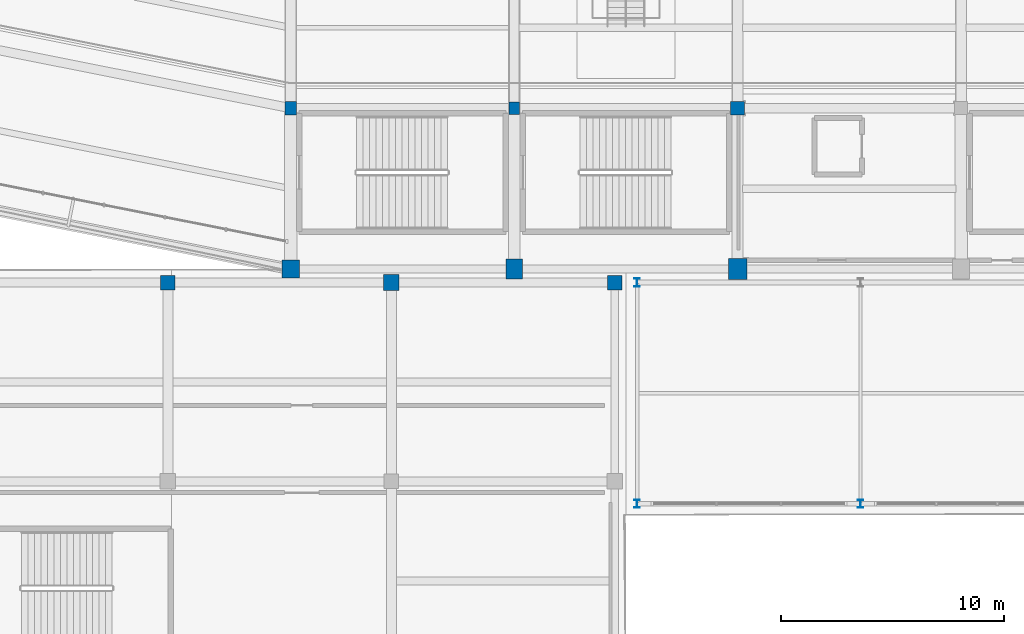
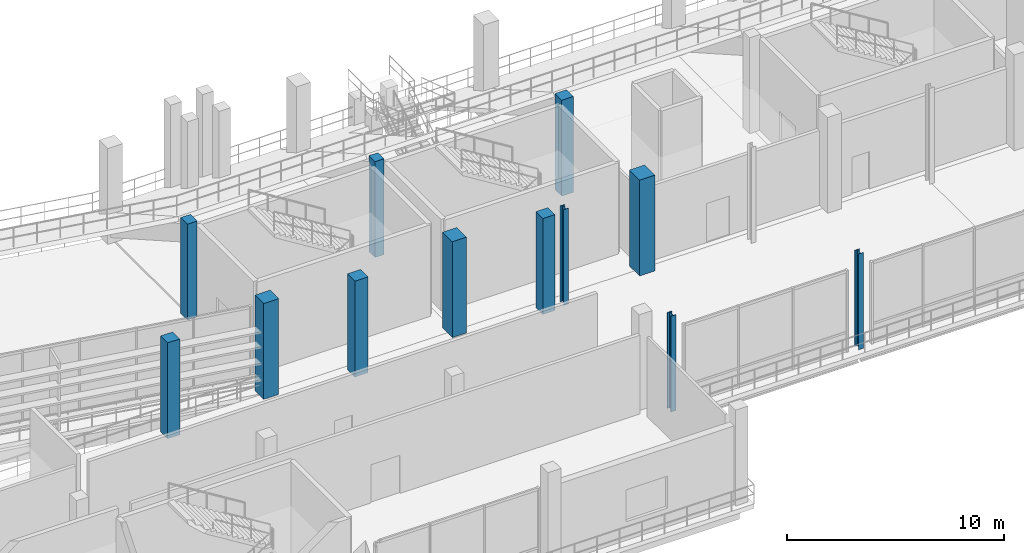
# One storey, part 2 of 127: 12 columns.
"""IFC4 building model written with IfcOpenShell, lengths in metres."""

import ifcopenshell
import ifcopenshell.guid

model = None  # the IFC model being written
_history = None  # IfcOwnerHistory: only IFC2X3 demands one
_inside = {}  # id of a spatial element -> (the spatial element, [elements in it])
_under = {}  # id of a project, library or spatial element -> (it, [spatial elements below it])
_declared = {}  # id of a project -> (the project, [libraries it declares])
_typed = {}  # id of a type object -> (the type object, [elements of that type])
_made_of = {}  # id of a material, layer set ... -> (it, [elements and type objects made of it])


def new_model(schema):
    """Start an empty IFC model of exactly this schema.

    Asked for "IFC4X3", IfcOpenShell would pick the latest addendum, in which some entities
    have other attributes; the version numbers below select the first issue.
    IFC2X3 requires an IfcOwnerHistory on every rooted entity: one is made here for all.
    """
    global model, _history
    if schema == "IFC4X3":
        model = ifcopenshell.file(schema_version=(4, 3, 0, 0))
    else:
        model = ifcopenshell.file(schema=schema)
    _inside.clear()
    _under.clear()
    _declared.clear()
    _typed.clear()
    _made_of.clear()
    _history = None
    if model.schema == "IFC2X3":
        org = make("IfcOrganization", Name="unknown")
        user = make(
            "IfcPersonAndOrganization",
            ThePerson=make("IfcPerson", FamilyName="unknown"),
            TheOrganization=org,
        )
        app = make(
            "IfcApplication",
            ApplicationDeveloper=org,
            Version="unknown",
            ApplicationFullName="unknown",
            ApplicationIdentifier="unknown",
        )
        _history = make(
            "IfcOwnerHistory",
            OwningUser=user,
            OwningApplication=app,
            ChangeAction="ADDED",
            CreationDate=0,
        )
    return model


def make(cls, **values):
    """One entity of the class cls with the attributes given. An attribute that is None is left unset."""
    return model.create_entity(
        cls, **{name: value for name, value in values.items() if value is not None}
    )


def rooted(cls, **values):
    """An entity with a GlobalId (a new one), such as an element, a storey or a relation."""
    return make(cls, GlobalId=ifcopenshell.guid.new(), OwnerHistory=_history, **values)


def si_unit(unit_type, name, prefix=None):
    """IfcSIUnit, for example si_unit("LENGTHUNIT", "METRE", prefix="MILLI")."""
    return make("IfcSIUnit", UnitType=unit_type, Prefix=prefix, Name=name)


def assignment(units):
    """IfcUnitAssignment: the units of a project."""
    return None if units is None else make("IfcUnitAssignment", Units=units)


def point(xyz):
    """IfcCartesianPoint."""
    return None if xyz is None else make("IfcCartesianPoint", Coordinates=xyz)


def direction(xyz):
    """IfcDirection."""
    return None if xyz is None else make("IfcDirection", DirectionRatios=xyz)


def frame(location, z_axis=None, x_axis=None):
    """IfcAxis2Placement3D, a coordinate frame: its origin and axes. An axis left out is left unset."""
    return make(
        "IfcAxis2Placement3D",
        Location=point(location),
        Axis=direction(z_axis),
        RefDirection=direction(x_axis),
    )


def frame_2d(location, x_axis=None):
    """IfcAxis2Placement2D, a coordinate frame in the plane: its origin and x axis."""
    return make(
        "IfcAxis2Placement2D", Location=point(location), RefDirection=direction(x_axis)
    )


def origin():
    """The frame at (0, 0, 0) with its axes left unset."""
    return frame((0.0, 0.0, 0.0))


def origin_2d():
    """The frame at (0, 0) in the plane with its x axis left unset."""
    return frame_2d((0.0, 0.0))


def place(relative_to, where):
    """IfcLocalPlacement: puts the frame where relative to a parent placement (None: the world)."""
    return make(
        "IfcLocalPlacement", PlacementRelTo=relative_to, RelativePlacement=where
    )


def context(
    kind, dimensions, precision=None, world=None, true_north=None, identifier=None
):
    """IfcGeometricRepresentationContext, for example the 3D "Model" context."""
    return make(
        "IfcGeometricRepresentationContext",
        ContextIdentifier=identifier,
        ContextType=kind,
        CoordinateSpaceDimension=dimensions,
        Precision=precision,
        WorldCoordinateSystem=world,
        TrueNorth=true_north,
    )


def subcontext(parent, identifier, kind, view, scale=None):
    """IfcGeometricRepresentationSubContext, for example "Body" below "Model"."""
    return make(
        "IfcGeometricRepresentationSubContext",
        ContextIdentifier=identifier,
        ContextType=kind,
        ParentContext=parent,
        TargetScale=scale,
        TargetView=view,
    )


def project(units=None, contexts=None):
    """IfcProject with its units and contexts."""
    return rooted(
        "IfcProject",
        Name="project",
        RepresentationContexts=contexts,
        UnitsInContext=assignment(units),
    )


def spatial(cls, under=None, at=None, **own):
    """A site, building, storey or space (cls), placed at a placement, below another one or the project."""
    s = rooted(cls, ObjectPlacement=at, **own)
    if under is not None:
        _under.setdefault(under.id(), (under, []))[1].append(s)
    return s


def profile(cls, at=None, kind="AREA", **sizes):
    """A parametric profile (cls). Its sizes go by their IFC names, for example OverallWidth=200.0."""
    return make(cls, ProfileType=kind, Position=at, **sizes)


def rectangle(**sizes):
    """IfcRectangleProfileDef."""
    return profile("IfcRectangleProfileDef", **sizes)


def i_section(**sizes):
    """IfcIShapeProfileDef."""
    return profile("IfcIShapeProfileDef", **sizes)


def extrude(swept, where, along, depth):
    """IfcExtrudedAreaSolid: the profile swept, set in the frame where, extruded along a direction by depth."""
    return make(
        "IfcExtrudedAreaSolid",
        SweptArea=swept,
        Position=where,
        ExtrudedDirection=direction(along),
        Depth=depth,
    )


def shape(context_of_items, identifier, shape_type, items):
    """IfcShapeRepresentation: the items that make up one representation, for example the "Body"."""
    return make(
        "IfcShapeRepresentation",
        ContextOfItems=context_of_items,
        RepresentationIdentifier=identifier,
        RepresentationType=shape_type,
        Items=items,
    )


def material(Name=None, Category=None):
    """IfcMaterial."""
    return make("IfcMaterial", Name=Name, Category=Category)


def material_profile(
    of_material, cross_section, Name=None, Category=None, Priority=None
):
    """IfcMaterialProfile: a cross section and its material."""
    return make(
        "IfcMaterialProfile",
        Name=Name,
        Material=of_material,
        Profile=cross_section,
        Priority=Priority,
        Category=Category,
    )


def profile_set(profiles, Name=None, composite=None):
    """IfcMaterialProfileSet."""
    return make(
        "IfcMaterialProfileSet",
        Name=Name,
        MaterialProfiles=profiles,
        CompositeProfile=composite,
    )


def made_of(thing, what):
    """Note that an element or type object is made of a material, layer set ...; save() writes the relation."""
    if what is not None:
        _made_of.setdefault(what.id(), (what, []))[1].append(thing)
    return thing


def type_object(cls, material=None, **own):
    """A type object (cls), such as IfcWallType, which elements share."""
    return made_of(rooted(cls, **own), material)


def element(
    cls,
    number,
    at=None,
    inside=None,
    cuts=None,
    type_object=None,
    material=None,
    context=None,
    identifier="Body",
    shape_type=None,
    held_by="IfcProductDefinitionShape",
    body=None,
    shapes=None,
    **own,
):
    """One element of the class cls, such as IfcWall. Its Tag is "e" and its number.

    at: its placement. inside: the storey or other place that contains it. cuts: it is an
    opening in that element (IfcRelVoidsElement). A single representation is given by context,
    identifier, shape_type and body (its items); several are given by shapes. held_by: the class
    of the entity that holds the representations. save() writes the other relations.
    """
    e = rooted(cls, Tag="e%d" % number, ObjectPlacement=at, **own)
    if body is not None:
        shapes = [shape(context, identifier, shape_type, body)]
    if shapes is not None:
        e.Representation = make(held_by, Representations=shapes)
    if inside is not None:
        _inside.setdefault(inside.id(), (inside, []))[1].append(e)
    if cuts is not None:
        rooted(
            "IfcRelVoidsElement", RelatingBuildingElement=cuts, RelatedOpeningElement=e
        )
    if type_object is not None:
        _typed.setdefault(type_object.id(), (type_object, []))[1].append(e)
    return made_of(e, material)


def aggregate(whole, parts):
    """IfcRelAggregates: a whole, such as a stair, and the parts it consists of."""
    return rooted("IfcRelAggregates", RelatingObject=whole, RelatedObjects=parts)


def save(model, path):
    """Write the relations noted so far, then the file.

    IfcRelAggregates (storeys below a building ...), IfcRelContainedInSpatialStructure (elements
    in a storey), IfcRelDefinesByType, IfcRelAssociatesMaterial and IfcRelDeclares: one each for
    every whole, place, type object, material and project.
    """
    for whole, parts in _under.values():
        aggregate(whole, parts)
    for where, things in _inside.values():
        rooted(
            "IfcRelContainedInSpatialStructure",
            RelatedElements=things,
            RelatingStructure=where,
        )
    for kind, things in _typed.values():
        rooted("IfcRelDefinesByType", RelatedObjects=things, RelatingType=kind)
    for what, things in _made_of.values():
        rooted("IfcRelAssociatesMaterial", RelatedObjects=things, RelatingMaterial=what)
    for by, libraries in _declared.values():
        rooted("IfcRelDeclares", RelatingContext=by, RelatedDefinitions=libraries)
    model.write(path)


model = new_model("IFC4")

# Units and contexts
model_context = context("Model", 3, precision=1e-05, world=origin(), true_north=direction((0.0, 1.0)))
body_context = subcontext(model_context, "Body", "Model", "MODEL_VIEW")
ifc_project = project(units=[si_unit("LENGTHUNIT", "METRE"), si_unit("AREAUNIT", "SQUARE_METRE"), si_unit("VOLUMEUNIT", "CUBIC_METRE"), si_unit("PLANEANGLEUNIT", "RADIAN"), si_unit("MASSUNIT", "GRAM", prefix="KILO")], contexts=[model_context])

# Site, building, storey
site_placement = place(None, origin())
site = spatial("IfcSite", under=ifc_project, at=site_placement, CompositionType="ELEMENT")
building_placement = place(site_placement, origin())
building = spatial("IfcBuilding", under=site, at=building_placement, Name="Candeia Ridge Stadium", CompositionType="ELEMENT")
storey_placement = place(building_placement, frame((0.0, 0.0, 10.800048828125)))
storey = spatial("IfcBuildingStorey", under=building, at=storey_placement, Name="L02", CompositionType="ELEMENT", Elevation=10.800048828125)

# Columns
ifc_material_1 = material(Name="Concrete C45/55", Category="concrete")
ifc_material_profile_1 = material_profile(ifc_material_1, rectangle(XDim=0.800048828125, YDim=0.800048828125, at=origin_2d()), Name="RC800x800", Category="concrete")
ifc_profile_set_1 = profile_set([ifc_material_profile_1], Name="Concrete C45/55")
column_type_1 = type_object("IfcColumnType", Name="Bowl Column RC800x800", PredefinedType="COLUMN", material=ifc_profile_set_1)
column_1_placement = place(storey_placement, frame((71.0, 19.0, 0.0), z_axis=(0.0, 0.0, 1.0), x_axis=(1.0, 0.0, 0.0)))
element("IfcColumn", 1, at=column_1_placement, inside=storey, type_object=column_type_1, Name="Structural column BC-OU-18 L02", PredefinedType="COLUMN", context=body_context, shape_type="SweptSolid", body=[
    extrude(rectangle(XDim=0.800048828125, YDim=0.800048828125, at=origin_2d()), origin(), (0.0, 0.0, 1.0), 5.39990234375),
])
ifc_material_2 = material(Name="Steel ASTM A572 Grade 50", Category="steel")
ifc_material_profile_2 = material_profile(ifc_material_2, i_section(OverallWidth=0.257080078125, OverallDepth=0.363037109375, WebThickness=0.012939453125, FlangeThickness=0.021728515625, FilletRadius=0.014892578125, at=origin_2d()), Name="W360x122", Category="steel")
ifc_profile_set_2 = profile_set([ifc_material_profile_2], Name="Steel ASTM A572 Grade 50")
column_type_2 = type_object("IfcColumnType", Name="Gate Steel Column W360x122", PredefinedType="COLUMN", material=ifc_profile_set_2)
for number, where, z_axis, x_axis, name in (
    (2, (86.5, 8.5, 0.0), (0.0, 0.0, 1.0), (1.0, 0.0, 0.0), "Structural column SG-00-00 L02"),
    (3, (86.5, 18.39990234375, 0.0), (0.0, 0.0, 1.0), (1.0, 0.0, 0.0), "Structural column SG-00-01 L02"),
    (4, (96.5, 8.5, 0.0), (0.0, 0.0, 1.0), (1.0, 0.0, 0.0), "Structural column SG-01-00 L02"),
):
    element("IfcColumn", number, at=place(storey_placement, frame(where, z_axis=z_axis, x_axis=x_axis)), inside=storey, type_object=column_type_2, Name=name, PredefinedType="COLUMN", context=body_context, shape_type="SweptSolid", body=[
        extrude(i_section(OverallWidth=0.257080078125, OverallDepth=0.363037109375, WebThickness=0.012939453125, FlangeThickness=0.021728515625, FilletRadius=0.014892578125, at=origin_2d()), origin(), (0.0, 0.0, 1.0), 5.39990234375),
    ])
ifc_material_3 = material(Name="Concrete C40/50", Category="concrete")
ifc_material_profile_3 = material_profile(ifc_material_3, rectangle(XDim=0.47998046875, YDim=0.56005859375, at=origin_2d()), Name="RC480x560", Category="concrete")
ifc_profile_set_3 = profile_set([ifc_material_profile_3], Name="Concrete C40/50")
column_type_3 = type_object("IfcColumnType", Name="Graduated Frame Column RC480x560", PredefinedType="COLUMN", material=ifc_profile_set_3)
column_2_placement = place(storey_placement, frame((81.0, 26.199951171875, 0.0), z_axis=(0.0, 0.0, 1.0), x_axis=(1.0, 0.0, 0.0)))
element("IfcColumn", 5, at=column_2_placement, inside=storey, type_object=column_type_3, Name="Structural column BC-M2-19 L02", PredefinedType="COLUMN", context=body_context, shape_type="SweptSolid", body=[
    extrude(rectangle(XDim=0.47998046875, YDim=0.56005859375, at=origin_2d()), origin(), (0.0, 0.0, 1.0), 5.39990234375),
])
ifc_material_profile_4 = material_profile(ifc_material_3, rectangle(XDim=0.52001953125, YDim=0.6201171875, at=origin_2d()), Name="RC520x620", Category="concrete")
ifc_profile_set_4 = profile_set([ifc_material_profile_4], Name="Concrete C40/50")
column_type_4 = type_object("IfcColumnType", Name="Graduated Frame Column RC520x620", PredefinedType="COLUMN", material=ifc_profile_set_4)
column_3_placement = place(storey_placement, frame((71.0, 26.199951171875, 0.0), z_axis=(0.0, 0.0, 1.0), x_axis=(1.0, 0.0, 0.0)))
element("IfcColumn", 6, at=column_3_placement, inside=storey, type_object=column_type_4, Name="Structural column BC-M2-18 L02", PredefinedType="COLUMN", context=body_context, shape_type="SweptSolid", body=[
    extrude(rectangle(XDim=0.52001953125, YDim=0.6201171875, at=origin_2d()), origin(), (0.0, 0.0, 1.0), 5.39990234375),
])
ifc_material_profile_5 = material_profile(ifc_material_3, rectangle(XDim=0.6201171875, YDim=0.6201171875, at=origin_2d()), Name="RC620x620", Category="concrete")
ifc_profile_set_5 = profile_set([ifc_material_profile_5], Name="Concrete C40/50")
column_type_5 = type_object("IfcColumnType", Name="Graduated Frame Column RC620x620", PredefinedType="COLUMN", material=ifc_profile_set_5)
column_4_placement = place(storey_placement, frame((91.0, 26.199951171875, 0.0), z_axis=(0.0, 0.0, 1.0), x_axis=(1.0, 0.0, 0.0)))
element("IfcColumn", 7, at=column_4_placement, inside=storey, type_object=column_type_5, Name="Structural column BC-M2-20 L02", PredefinedType="COLUMN", context=body_context, shape_type="SweptSolid", body=[
    extrude(rectangle(XDim=0.6201171875, YDim=0.6201171875, at=origin_2d()), origin(), (0.0, 0.0, 1.0), 5.39990234375),
])
ifc_material_profile_6 = material_profile(ifc_material_1, rectangle(XDim=0.820068359375, YDim=0.949951171875, at=origin_2d()), Name="RC820x950", Category="concrete")
ifc_profile_set_6 = profile_set([ifc_material_profile_6], Name="Concrete C45/55")
column_type_6 = type_object("IfcColumnType", Name="Graduated Frame Column RC820x950", PredefinedType="COLUMN", material=ifc_profile_set_6)
column_5_placement = place(storey_placement, frame((91.0, 19.0, 0.0), z_axis=(0.0, 0.0, 1.0), x_axis=(1.0, 0.0, 0.0)))
element("IfcColumn", 8, at=column_5_placement, inside=storey, type_object=column_type_6, Name="Structural column BC-OU-20 L02", PredefinedType="COLUMN", context=body_context, shape_type="SweptSolid", body=[
    extrude(rectangle(XDim=0.820068359375, YDim=0.949951171875, at=origin_2d()), origin(), (0.0, 0.0, 1.0), 5.39990234375),
])
ifc_material_profile_7 = material_profile(ifc_material_3, rectangle(XDim=0.64990234375, YDim=0.64990234375, at=origin_2d()), Name="RC650x650", Category="concrete")
ifc_profile_set_7 = profile_set([ifc_material_profile_7], Name="Concrete C40/50")
column_type_7 = type_object("IfcColumnType", Name="Reinforced Concrete Column RC650x650", PredefinedType="COLUMN", material=ifc_profile_set_7)
for number, where, z_axis, x_axis, name in (
    (9, (65.5, 18.39990234375, 0.0), (0.0, 0.0, 1.0), (1.0, 0.0, 0.0), "Structural column SWW-04-02 L02"),
    (10, (85.5, 18.39990234375, 0.0), (0.0, 0.0, 1.0), (1.0, 0.0, 0.0), "Structural column SWW-06-02 L02"),
):
    element("IfcColumn", number, at=place(storey_placement, frame(where, z_axis=z_axis, x_axis=x_axis)), inside=storey, type_object=column_type_7, Name=name, PredefinedType="COLUMN", context=body_context, shape_type="SweptSolid", body=[
        extrude(rectangle(XDim=0.64990234375, YDim=0.64990234375, at=origin_2d()), origin(), (0.0, 0.0, 1.0), 5.39990234375),
    ])
ifc_material_profile_8 = material_profile(ifc_material_1, rectangle(XDim=0.75, YDim=0.89990234375, at=origin_2d()), Name="RC750x900", Category="concrete")
ifc_profile_set_8 = profile_set([ifc_material_profile_8], Name="Concrete C45/55")
column_type_8 = type_object("IfcColumnType", Name="Reinforced Concrete Column RC750x900", PredefinedType="COLUMN", material=ifc_profile_set_8)
column_6_placement = place(storey_placement, frame((81.0, 19.0, 0.0), z_axis=(0.0, 0.0, 1.0), x_axis=(1.0, 0.0, 0.0)))
element("IfcColumn", 11, at=column_6_placement, inside=storey, type_object=column_type_8, Name="Structural column BC-OU-19 L02", PredefinedType="COLUMN", context=body_context, shape_type="SweptSolid", body=[
    extrude(rectangle(XDim=0.75, YDim=0.89990234375, at=origin_2d()), origin(), (0.0, 0.0, 1.0), 5.39990234375),
])
ifc_material_profile_9 = material_profile(ifc_material_3, rectangle(XDim=0.699951171875, YDim=0.699951171875, at=origin_2d()), Name="RC700x700", Category="concrete")
ifc_profile_set_9 = profile_set([ifc_material_profile_9], Name="Concrete C40/50")
column_type_9 = type_object("IfcColumnType", Name="Wing Column RC700x700", PredefinedType="COLUMN", material=ifc_profile_set_9)
column_7_placement = place(storey_placement, frame((75.5, 18.39990234375, 0.0), z_axis=(0.0, 0.0, 1.0), x_axis=(1.0, 0.0, 0.0)))
element("IfcColumn", 12, at=column_7_placement, inside=storey, type_object=column_type_9, Name="Structural column SWW-05-02 L02", PredefinedType="COLUMN", context=body_context, shape_type="SweptSolid", body=[
    extrude(rectangle(XDim=0.699951171875, YDim=0.699951171875, at=origin_2d()), origin(), (0.0, 0.0, 1.0), 5.39990234375),
])

save(model, "model.ifc")
